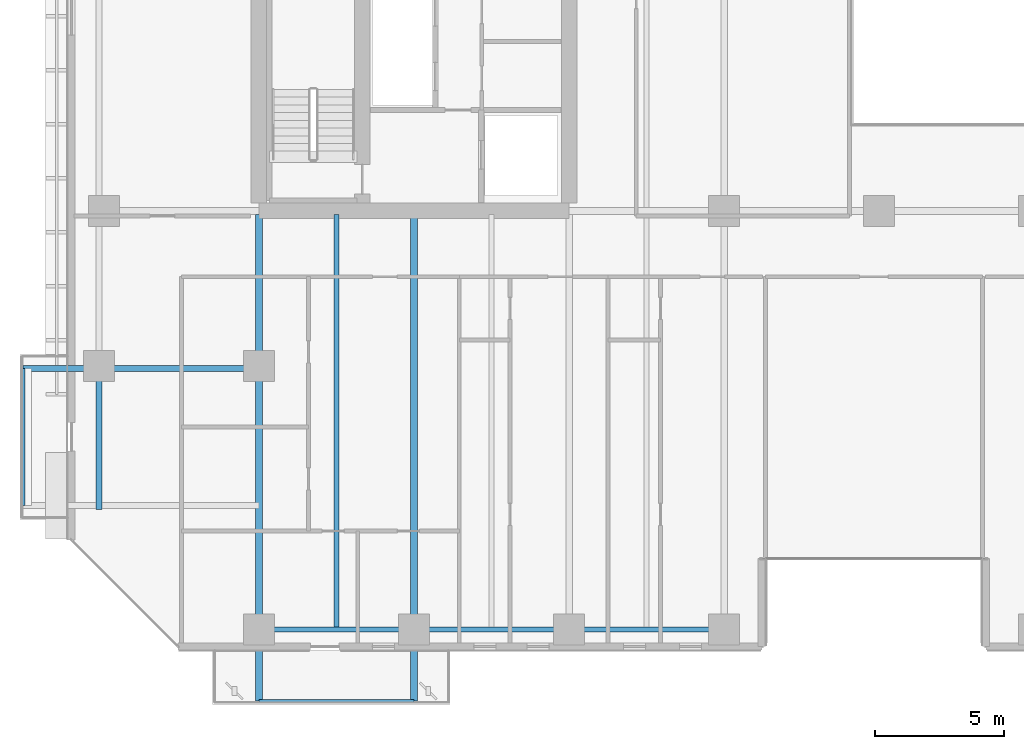
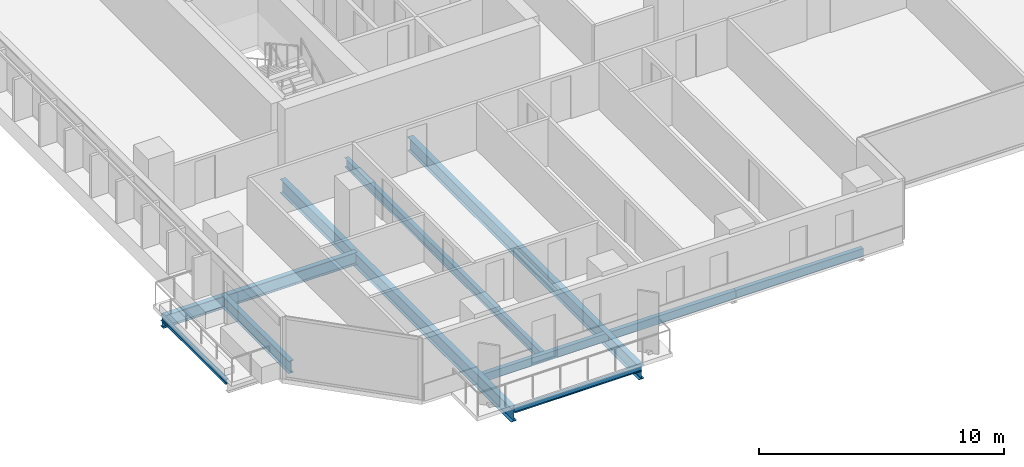
# One storey, part 3 of 33: 10 beams.
"""IFC4 building model written with IfcOpenShell, lengths in metres."""

from ifc_helpers import new_model, si_unit, direction, frame, origin, origin_2d, place, context, subcontext, project, spatial, hollow_rectangle, i_section, extrude, material, material_profile, profile_set, type_object, element, save


model = new_model("IFC4")

# Units and contexts
model_context = context("Model", 3, precision=1e-05, world=origin(), true_north=direction((0.0, 1.0)))
body_context = subcontext(model_context, "Body", "Model", "MODEL_VIEW")
ifc_project = project(units=[si_unit("LENGTHUNIT", "METRE"), si_unit("AREAUNIT", "SQUARE_METRE"), si_unit("VOLUMEUNIT", "CUBIC_METRE"), si_unit("PLANEANGLEUNIT", "RADIAN"), si_unit("MASSUNIT", "GRAM", prefix="KILO")], contexts=[model_context])

# Site, building, storey
site_placement = place(None, origin())
site = spatial("IfcSite", under=ifc_project, at=site_placement, CompositionType="ELEMENT")
building_placement = place(site_placement, origin())
building = spatial("IfcBuilding", under=site, at=building_placement, Name="Tanjung Sevakor Pilgrim Tower", CompositionType="ELEMENT")
storey_placement = place(building_placement, frame((0.0, 0.0, 35.639892578125)))
storey = spatial("IfcBuildingStorey", under=building, at=storey_placement, Name="L09", CompositionType="ELEMENT", Elevation=35.639892578125)

# Beams
ifc_material_1 = material(Name="Steel S355J2", Category="steel")
ifc_material_profile_1 = material_profile(ifc_material_1, i_section(OverallWidth=0.25439453125, OverallDepth=0.6875, WebThickness=0.01318359375, FlangeThickness=0.02099609375, FilletRadius=0.01513671875, at=origin_2d()))
ifc_profile_set_1 = profile_set([ifc_material_profile_1], Name="Steel S355J2")
beam_type_1 = type_object("IfcBeamType", Name="BM-B-G2-UB_686x254x152", PredefinedType="BEAM", material=ifc_profile_set_1)
for number, where, z_axis, x_axis, name in (
    (1, (24.0, 24.466064453125, -0.5634765625), (0.0, -1.0, 0.0), (1.0, 0.0, 0.0), "L09 Balcony Cantilever Beam MAIN-S1-1"),
    (2, (30.0, 24.466064453125, -0.5634765625), (0.0, -1.0, 0.0), (1.0, 0.0, 0.0), "L09 Balcony Cantilever Beam MAIN-S1-2"),
):
    element("IfcBeam", number, at=place(storey_placement, frame(where, z_axis=z_axis, x_axis=x_axis)), inside=storey, type_object=beam_type_1, Name=name, PredefinedType="BEAM", context=body_context, shape_type="SweptSolid", body=[
        extrude(i_section(OverallWidth=0.25439453125, OverallDepth=0.6875, WebThickness=0.01318359375, FlangeThickness=0.02099609375, FilletRadius=0.01513671875, at=origin_2d()), origin(), (0.0, 0.0, 1.0), 18.845947265625),
    ])
ifc_material_2 = material(Name="Steel S355J2", Category="steel")
ifc_material_profile_2 = material_profile(ifc_material_2, i_section(OverallWidth=0.22900390625, OverallDepth=0.6123046875, WebThickness=0.011962890625, FlangeThickness=0.01953125, FilletRadius=0.0126953125, at=origin_2d()))
ifc_profile_set_2 = profile_set([ifc_material_profile_2], Name="Steel S355J2")
beam_type_2 = type_object("IfcBeamType", Name="BM-B-G4-UB_610x229x125", PredefinedType="BEAM", material=ifc_profile_set_2)
beam_1_placement = place(storey_placement, frame((17.800048828125, 18.60009765625, -0.52587890625), z_axis=(0.0, -1.0, 0.0), x_axis=(1.0, 0.0, 0.0)))
element("IfcBeam", 3, at=beam_1_placement, inside=storey, type_object=beam_type_2, Name="L09 Short-End Edge Extension S-W", PredefinedType="BEAM", context=body_context, shape_type="SweptSolid", body=[
    extrude(i_section(OverallWidth=0.22900390625, OverallDepth=0.6123046875, WebThickness=0.011962890625, FlangeThickness=0.01953125, FilletRadius=0.0126953125, at=origin_2d()), origin(), (0.0, 0.0, 1.0), 5.550048828125),
])
beam_2_placement = place(storey_placement, frame((24.0, 18.5, -0.52587890625), z_axis=(-1.0, 0.0, 0.0), x_axis=(0.0, -1.0, 0.0)))
element("IfcBeam", 4, at=beam_2_placement, inside=storey, type_object=beam_type_2, Name="L09 Balcony Overhanging Beam MAIN-W1-2", PredefinedType="BEAM", context=body_context, shape_type="SweptSolid", body=[
    extrude(i_section(OverallWidth=0.22900390625, OverallDepth=0.6123046875, WebThickness=0.011962890625, FlangeThickness=0.01953125, FilletRadius=0.0126953125, at=origin_2d()), origin(), (0.0, 0.0, 1.0), 9.1298828125),
])
ifc_material_3 = material(Name="Steel S355J2", Category="steel")
ifc_material_profile_3 = material_profile(ifc_material_3, i_section(OverallWidth=0.19140625, OverallDepth=0.4599609375, WebThickness=0.010009765625, FlangeThickness=0.01611328125, FilletRadius=0.01025390625, at=origin_2d()))
ifc_profile_set_3 = profile_set([ifc_material_profile_3], Name="Steel S355J2")
beam_type_3 = type_object("IfcBeamType", Name="BM-B-J2-UB_457x191x82", PredefinedType="JOIST", material=ifc_profile_set_3)
beam_3_placement = place(storey_placement, frame((27.0, 8.5, -0.449951171875), z_axis=(0.0, 1.0, 0.0), x_axis=(-1.0, 0.0, 0.0)))
element("IfcBeam", 5, at=beam_3_placement, inside=storey, type_object=beam_type_3, Name="L09 MAIN Joist 001", PredefinedType="JOIST", context=body_context, shape_type="SweptSolid", body=[
    extrude(i_section(OverallWidth=0.19140625, OverallDepth=0.4599609375, WebThickness=0.010009765625, FlangeThickness=0.01611328125, FilletRadius=0.01025390625, at=origin_2d()), origin(), (0.0, 0.0, 1.0), 15.966064453125),
])
ifc_material_4 = material(Name="Steel S355J2", Category="steel")
ifc_material_profile_4 = material_profile(ifc_material_4, i_section(OverallWidth=0.146484375, OverallDepth=0.256103515625, WebThickness=0.00634765625, FlangeThickness=0.010986328125, FilletRadius=0.007568359375, at=origin_2d()))
ifc_profile_set_4 = profile_set([ifc_material_profile_4], Name="Steel S355J2")
beam_type_4 = type_object("IfcBeamType", Name="BM-B-J6-UB_254x146x37", PredefinedType="JOIST", material=ifc_profile_set_4)
beam_4_placement = place(storey_placement, frame((24.0, 5.6201171875, -0.327880859375), z_axis=(1.0, 0.0, 0.0), x_axis=(0.0, 1.0, 0.0)))
element("IfcBeam", 6, at=beam_4_placement, inside=storey, type_object=beam_type_4, Name="L09 Balcony Rim Tie MAIN-S1", PredefinedType="JOIST", context=body_context, shape_type="SweptSolid", body=[
    extrude(i_section(OverallWidth=0.146484375, OverallDepth=0.256103515625, WebThickness=0.00634765625, FlangeThickness=0.010986328125, FilletRadius=0.007568359375, at=origin_2d()), origin(), (0.0, 0.0, 1.0), 6.0),
])
beam_5_placement = place(storey_placement, frame((14.8701171875, 13.199951171875, -0.327880859375), z_axis=(0.0, 1.0, 0.0), x_axis=(-1.0, 0.0, 0.0)))
element("IfcBeam", 7, at=beam_5_placement, inside=storey, type_object=beam_type_4, Name="L09 Balcony Rim Tie MAIN-W1", PredefinedType="JOIST", context=body_context, shape_type="SweptSolid", body=[
    extrude(i_section(OverallWidth=0.146484375, OverallDepth=0.256103515625, WebThickness=0.00634765625, FlangeThickness=0.010986328125, FilletRadius=0.007568359375, at=origin_2d()), origin(), (0.0, 0.0, 1.0), 5.300048828125),
])
ifc_material_5 = material(Name="Steel S355J2", Category="steel")
ifc_material_profile_5 = material_profile(ifc_material_5, hollow_rectangle(XDim=0.199951171875, YDim=0.39990234375, WallThickness=0.01611328125, at=origin_2d()))
ifc_profile_set_5 = profile_set([ifc_material_profile_5], Name="Steel S355J2")
beam_type_5 = type_object("IfcBeamType", Name="BM-B-SP2-RHS_400x200x16", PredefinedType="SPANDREL", material=ifc_profile_set_5)
for number, where, z_axis, x_axis, name in (
    (8, (24.0, 8.39990234375, -0.419921875), (1.0, 0.0, 0.0), (0.0, 1.0, 0.0), "L09 Spandrel MAIN S-01"),
    (9, (30.0, 8.39990234375, -0.419921875), (1.0, 0.0, 0.0), (0.0, 1.0, 0.0), "L09 Spandrel MAIN S-03"),
    (10, (36.0, 8.39990234375, -0.419921875), (1.0, 0.0, 0.0), (0.0, 1.0, 0.0), "L09 Spandrel MAIN S-05"),
):
    element("IfcBeam", number, at=place(storey_placement, frame(where, z_axis=z_axis, x_axis=x_axis)), inside=storey, type_object=beam_type_5, Name=name, PredefinedType="SPANDREL", context=body_context, shape_type="SweptSolid", body=[
        extrude(hollow_rectangle(XDim=0.199951171875, YDim=0.39990234375, WallThickness=0.01611328125, at=origin_2d()), origin(), (0.0, 0.0, 1.0), 6.0),
    ])

save(model, "model.ifc")
